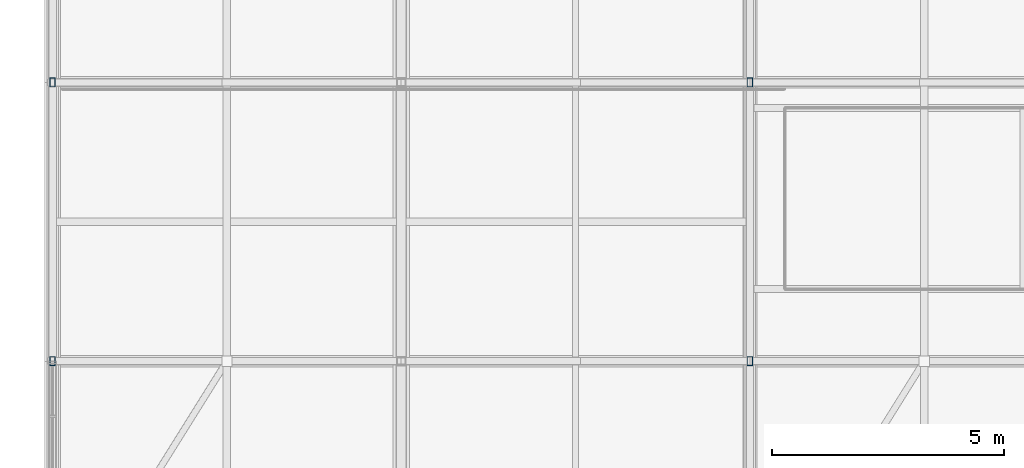
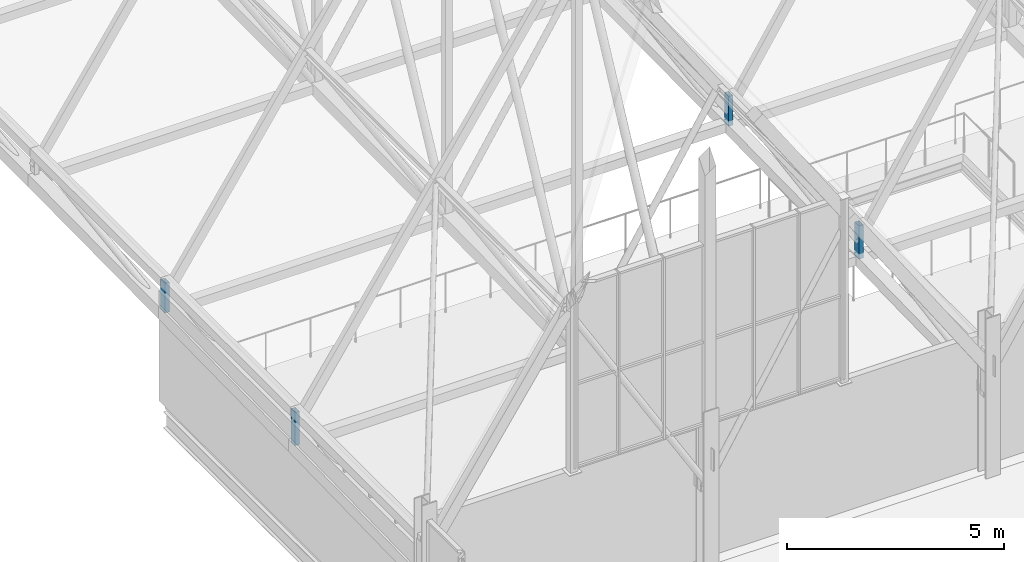
# One storey, part 245 of 324: 4 members.
"""IFC4 building model written with IfcOpenShell, lengths in metres."""

from ifc_helpers import new_model, si_unit, direction, frame, origin, origin_2d, place, context, subcontext, project, spatial, hollow_rectangle, extrude, material, material_profile, profile_set, type_object, element, save


model = new_model("IFC4")

# Units and contexts
model_context = context("Model", 3, precision=1e-05, world=origin(), true_north=direction((0.0, 1.0)))
body_context = subcontext(model_context, "Body", "Model", "MODEL_VIEW")
ifc_project = project(units=[si_unit("LENGTHUNIT", "METRE"), si_unit("AREAUNIT", "SQUARE_METRE"), si_unit("VOLUMEUNIT", "CUBIC_METRE"), si_unit("PLANEANGLEUNIT", "RADIAN"), si_unit("MASSUNIT", "GRAM", prefix="KILO")], contexts=[model_context])

# Site, building, storey
site_placement = place(None, origin())
site = spatial("IfcSite", under=ifc_project, at=site_placement, CompositionType="ELEMENT")
building_placement = place(site_placement, origin())
building = spatial("IfcBuilding", under=site, at=building_placement, Name="Solvenia Promenade Tram Depot", CompositionType="ELEMENT")
storey_placement = place(building_placement, frame((0.0, 0.0, 4.5)))
storey = spatial("IfcBuildingStorey", under=building, at=storey_placement, Name="L01", CompositionType="ELEMENT", Elevation=4.5)

# Members
ifc_material = material(Name="Structural steel ASTM A500 Gr. C", Category="steel")
ifc_material_profile = material_profile(ifc_material, hollow_rectangle(XDim=0.1201171875, YDim=0.199951171875, WallThickness=0.008056640625, at=origin_2d()), Name="HSS200x120x8", Category="steel")
ifc_profile_set = profile_set([ifc_material_profile], Name="Structural steel ASTM A500 Gr. C")
member_type = type_object("IfcMemberType", Name="Post-HSS200x120x8", PredefinedType="POST", material=ifc_profile_set)
member_1_placement = place(storey_placement, frame((0.0, 72.0, 2.446044921875), z_axis=(0.0, 0.0, 1.0), x_axis=(1.0, 0.0, 0.0)))
element("IfcMember", 1, at=member_1_placement, inside=storey, type_object=member_type, Name="Arched Truss T01 Web Post S01", PredefinedType="POST", context=body_context, shape_type="SweptSolid", body=[
    extrude(hollow_rectangle(XDim=0.1201171875, YDim=0.199951171875, WallThickness=0.008056640625, at=origin_2d()), origin(), (0.0, 0.0, 1.0), 0.933837890625),
])
member_2_placement = place(storey_placement, frame((0.0, 78.0, 2.5439453125), z_axis=(0.0, 0.0, 1.0), x_axis=(1.0, 0.0, 0.0)))
element("IfcMember", 2, at=member_2_placement, inside=storey, type_object=member_type, Name="Arched Truss T01 Web Post S02", PredefinedType="POST", context=body_context, shape_type="SweptSolid", body=[
    extrude(hollow_rectangle(XDim=0.1201171875, YDim=0.199951171875, WallThickness=0.008056640625, at=origin_2d()), origin(), (0.0, 0.0, 1.0), 0.8359375),
])
member_3_placement = place(storey_placement, frame((15.0, 72.0, 2.446044921875), z_axis=(0.0, 0.0, 1.0), x_axis=(1.0, 0.0, 0.0)))
element("IfcMember", 3, at=member_3_placement, inside=storey, type_object=member_type, Name="Arched Truss T03 Web Post S01", PredefinedType="POST", context=body_context, shape_type="SweptSolid", body=[
    extrude(hollow_rectangle(XDim=0.1201171875, YDim=0.199951171875, WallThickness=0.008056640625, at=origin_2d()), origin(), (0.0, 0.0, 1.0), 0.933837890625),
])
member_4_placement = place(storey_placement, frame((15.0, 78.0, 2.5439453125), z_axis=(0.0, 0.0, 1.0), x_axis=(1.0, 0.0, 0.0)))
element("IfcMember", 4, at=member_4_placement, inside=storey, type_object=member_type, Name="Arched Truss T03 Web Post S02", PredefinedType="POST", context=body_context, shape_type="SweptSolid", body=[
    extrude(hollow_rectangle(XDim=0.1201171875, YDim=0.199951171875, WallThickness=0.008056640625, at=origin_2d()), origin(), (0.0, 0.0, 1.0), 0.8359375),
])

save(model, "model.ifc")
